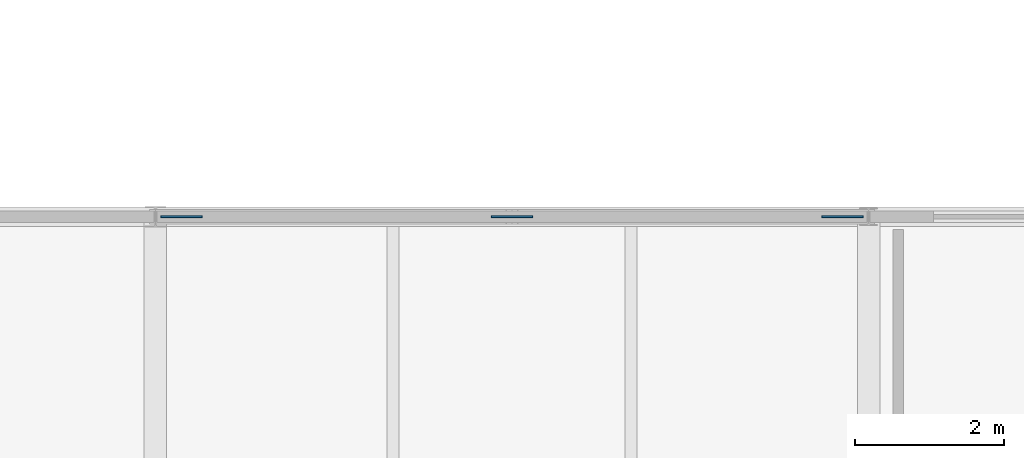
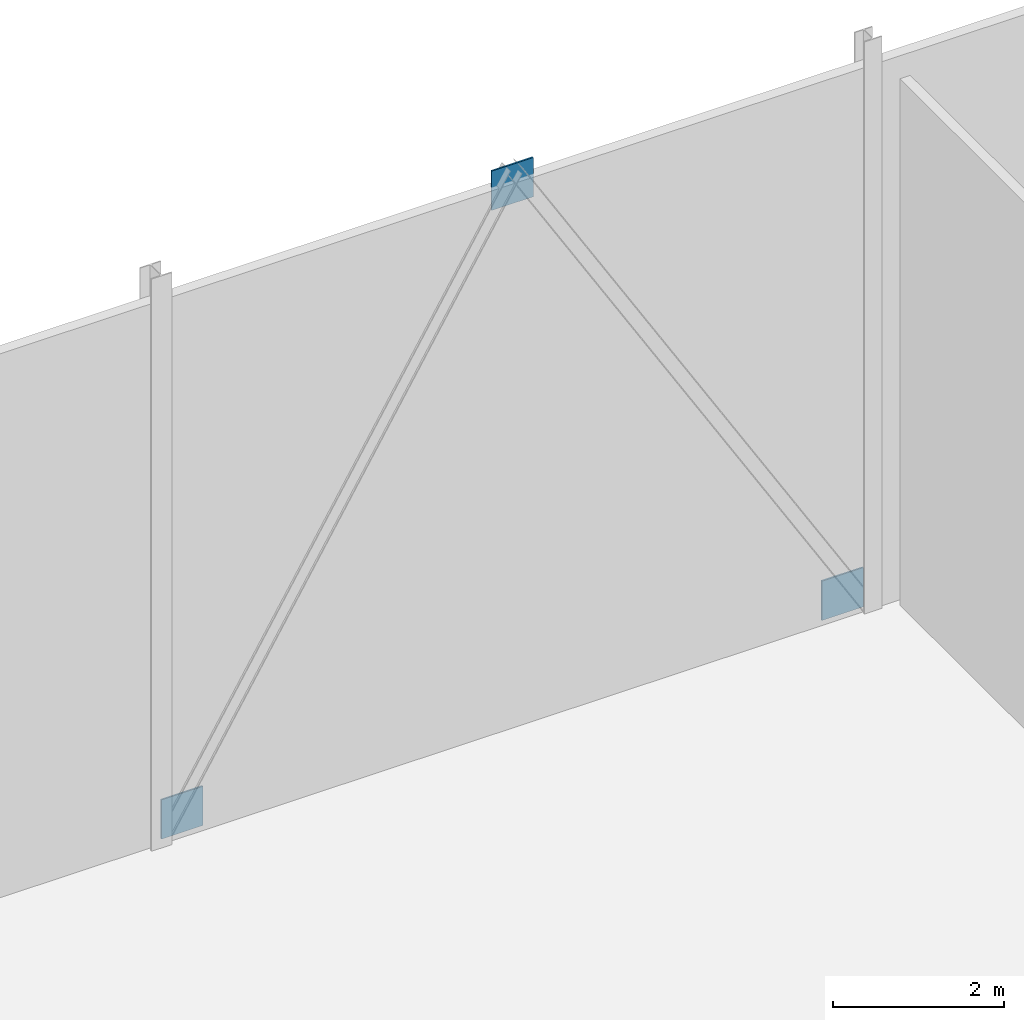
# One storey, part 63 of 73: 3 plates.
"""IFC4 building model written with IfcOpenShell, lengths in metres."""

import ifcopenshell
import ifcopenshell.guid

model = None  # the IFC model being written
_history = None  # IfcOwnerHistory: only IFC2X3 demands one
_inside = {}  # id of a spatial element -> (the spatial element, [elements in it])
_under = {}  # id of a project, library or spatial element -> (it, [spatial elements below it])
_declared = {}  # id of a project -> (the project, [libraries it declares])
_typed = {}  # id of a type object -> (the type object, [elements of that type])
_made_of = {}  # id of a material, layer set ... -> (it, [elements and type objects made of it])


def new_model(schema):
    """Start an empty IFC model of exactly this schema.

    Asked for "IFC4X3", IfcOpenShell would pick the latest addendum, in which some entities
    have other attributes; the version numbers below select the first issue.
    IFC2X3 requires an IfcOwnerHistory on every rooted entity: one is made here for all.
    """
    global model, _history
    if schema == "IFC4X3":
        model = ifcopenshell.file(schema_version=(4, 3, 0, 0))
    else:
        model = ifcopenshell.file(schema=schema)
    _inside.clear()
    _under.clear()
    _declared.clear()
    _typed.clear()
    _made_of.clear()
    _history = None
    if model.schema == "IFC2X3":
        org = make("IfcOrganization", Name="unknown")
        user = make(
            "IfcPersonAndOrganization",
            ThePerson=make("IfcPerson", FamilyName="unknown"),
            TheOrganization=org,
        )
        app = make(
            "IfcApplication",
            ApplicationDeveloper=org,
            Version="unknown",
            ApplicationFullName="unknown",
            ApplicationIdentifier="unknown",
        )
        _history = make(
            "IfcOwnerHistory",
            OwningUser=user,
            OwningApplication=app,
            ChangeAction="ADDED",
            CreationDate=0,
        )
    return model


def make(cls, **values):
    """One entity of the class cls with the attributes given. An attribute that is None is left unset."""
    return model.create_entity(
        cls, **{name: value for name, value in values.items() if value is not None}
    )


def rooted(cls, **values):
    """An entity with a GlobalId (a new one), such as an element, a storey or a relation."""
    return make(cls, GlobalId=ifcopenshell.guid.new(), OwnerHistory=_history, **values)


def si_unit(unit_type, name, prefix=None):
    """IfcSIUnit, for example si_unit("LENGTHUNIT", "METRE", prefix="MILLI")."""
    return make("IfcSIUnit", UnitType=unit_type, Prefix=prefix, Name=name)


def assignment(units):
    """IfcUnitAssignment: the units of a project."""
    return None if units is None else make("IfcUnitAssignment", Units=units)


def point(xyz):
    """IfcCartesianPoint."""
    return None if xyz is None else make("IfcCartesianPoint", Coordinates=xyz)


def direction(xyz):
    """IfcDirection."""
    return None if xyz is None else make("IfcDirection", DirectionRatios=xyz)


def frame(location, z_axis=None, x_axis=None):
    """IfcAxis2Placement3D, a coordinate frame: its origin and axes. An axis left out is left unset."""
    return make(
        "IfcAxis2Placement3D",
        Location=point(location),
        Axis=direction(z_axis),
        RefDirection=direction(x_axis),
    )


def frame_2d(location, x_axis=None):
    """IfcAxis2Placement2D, a coordinate frame in the plane: its origin and x axis."""
    return make(
        "IfcAxis2Placement2D", Location=point(location), RefDirection=direction(x_axis)
    )


def origin():
    """The frame at (0, 0, 0) with its axes left unset."""
    return frame((0.0, 0.0, 0.0))


def origin_2d():
    """The frame at (0, 0) in the plane with its x axis left unset."""
    return frame_2d((0.0, 0.0))


def place(relative_to, where):
    """IfcLocalPlacement: puts the frame where relative to a parent placement (None: the world)."""
    return make(
        "IfcLocalPlacement", PlacementRelTo=relative_to, RelativePlacement=where
    )


def context(
    kind, dimensions, precision=None, world=None, true_north=None, identifier=None
):
    """IfcGeometricRepresentationContext, for example the 3D "Model" context."""
    return make(
        "IfcGeometricRepresentationContext",
        ContextIdentifier=identifier,
        ContextType=kind,
        CoordinateSpaceDimension=dimensions,
        Precision=precision,
        WorldCoordinateSystem=world,
        TrueNorth=true_north,
    )


def subcontext(parent, identifier, kind, view, scale=None):
    """IfcGeometricRepresentationSubContext, for example "Body" below "Model"."""
    return make(
        "IfcGeometricRepresentationSubContext",
        ContextIdentifier=identifier,
        ContextType=kind,
        ParentContext=parent,
        TargetScale=scale,
        TargetView=view,
    )


def project(units=None, contexts=None):
    """IfcProject with its units and contexts."""
    return rooted(
        "IfcProject",
        Name="project",
        RepresentationContexts=contexts,
        UnitsInContext=assignment(units),
    )


def spatial(cls, under=None, at=None, **own):
    """A site, building, storey or space (cls), placed at a placement, below another one or the project."""
    s = rooted(cls, ObjectPlacement=at, **own)
    if under is not None:
        _under.setdefault(under.id(), (under, []))[1].append(s)
    return s


def profile(cls, at=None, kind="AREA", **sizes):
    """A parametric profile (cls). Its sizes go by their IFC names, for example OverallWidth=200.0."""
    return make(cls, ProfileType=kind, Position=at, **sizes)


def rectangle(**sizes):
    """IfcRectangleProfileDef."""
    return profile("IfcRectangleProfileDef", **sizes)


def extrude(swept, where, along, depth):
    """IfcExtrudedAreaSolid: the profile swept, set in the frame where, extruded along a direction by depth."""
    return make(
        "IfcExtrudedAreaSolid",
        SweptArea=swept,
        Position=where,
        ExtrudedDirection=direction(along),
        Depth=depth,
    )


def shape(context_of_items, identifier, shape_type, items):
    """IfcShapeRepresentation: the items that make up one representation, for example the "Body"."""
    return make(
        "IfcShapeRepresentation",
        ContextOfItems=context_of_items,
        RepresentationIdentifier=identifier,
        RepresentationType=shape_type,
        Items=items,
    )


def material(Name=None, Category=None):
    """IfcMaterial."""
    return make("IfcMaterial", Name=Name, Category=Category)


def layer(
    of_material, thickness, ventilated=None, Name=None, Category=None, Priority=None
):
    """IfcMaterialLayer: one layer of a wall or slab, of a material (None: an air gap)."""
    return make(
        "IfcMaterialLayer",
        Material=of_material,
        LayerThickness=thickness,
        IsVentilated=ventilated,
        Name=Name,
        Category=Category,
        Priority=Priority,
    )


def layer_set(layers, Name=None):
    """IfcMaterialLayerSet."""
    return make("IfcMaterialLayerSet", MaterialLayers=layers, LayerSetName=Name)


def made_of(thing, what):
    """Note that an element or type object is made of a material, layer set ...; save() writes the relation."""
    if what is not None:
        _made_of.setdefault(what.id(), (what, []))[1].append(thing)
    return thing


def type_object(cls, material=None, **own):
    """A type object (cls), such as IfcWallType, which elements share."""
    return made_of(rooted(cls, **own), material)


def element(
    cls,
    number,
    at=None,
    inside=None,
    cuts=None,
    type_object=None,
    material=None,
    context=None,
    identifier="Body",
    shape_type=None,
    held_by="IfcProductDefinitionShape",
    body=None,
    shapes=None,
    **own,
):
    """One element of the class cls, such as IfcWall. Its Tag is "e" and its number.

    at: its placement. inside: the storey or other place that contains it. cuts: it is an
    opening in that element (IfcRelVoidsElement). A single representation is given by context,
    identifier, shape_type and body (its items); several are given by shapes. held_by: the class
    of the entity that holds the representations. save() writes the other relations.
    """
    e = rooted(cls, Tag="e%d" % number, ObjectPlacement=at, **own)
    if body is not None:
        shapes = [shape(context, identifier, shape_type, body)]
    if shapes is not None:
        e.Representation = make(held_by, Representations=shapes)
    if inside is not None:
        _inside.setdefault(inside.id(), (inside, []))[1].append(e)
    if cuts is not None:
        rooted(
            "IfcRelVoidsElement", RelatingBuildingElement=cuts, RelatedOpeningElement=e
        )
    if type_object is not None:
        _typed.setdefault(type_object.id(), (type_object, []))[1].append(e)
    return made_of(e, material)


def aggregate(whole, parts):
    """IfcRelAggregates: a whole, such as a stair, and the parts it consists of."""
    return rooted("IfcRelAggregates", RelatingObject=whole, RelatedObjects=parts)


def save(model, path):
    """Write the relations noted so far, then the file.

    IfcRelAggregates (storeys below a building ...), IfcRelContainedInSpatialStructure (elements
    in a storey), IfcRelDefinesByType, IfcRelAssociatesMaterial and IfcRelDeclares: one each for
    every whole, place, type object, material and project.
    """
    for whole, parts in _under.values():
        aggregate(whole, parts)
    for where, things in _inside.values():
        rooted(
            "IfcRelContainedInSpatialStructure",
            RelatedElements=things,
            RelatingStructure=where,
        )
    for kind, things in _typed.values():
        rooted("IfcRelDefinesByType", RelatedObjects=things, RelatingType=kind)
    for what, things in _made_of.values():
        rooted("IfcRelAssociatesMaterial", RelatedObjects=things, RelatingMaterial=what)
    for by, libraries in _declared.values():
        rooted("IfcRelDeclares", RelatingContext=by, RelatedDefinitions=libraries)
    model.write(path)


model = new_model("IFC4")

# Units and contexts
model_context = context("Model", 3, precision=1e-05, world=origin(), true_north=direction((0.0, 1.0)))
body_context = subcontext(model_context, "Body", "Model", "MODEL_VIEW")
ifc_project = project(units=[si_unit("LENGTHUNIT", "METRE"), si_unit("AREAUNIT", "SQUARE_METRE"), si_unit("VOLUMEUNIT", "CUBIC_METRE"), si_unit("PLANEANGLEUNIT", "RADIAN"), si_unit("MASSUNIT", "GRAM", prefix="KILO")], contexts=[model_context])

# Site, building, storey
site_placement = place(None, origin())
site = spatial("IfcSite", under=ifc_project, at=site_placement, CompositionType="ELEMENT")
building_placement = place(site_placement, origin())
building = spatial("IfcBuilding", under=site, at=building_placement, Name="Alderhovde Museum", CompositionType="ELEMENT")
storey_placement = place(building_placement, frame((0.0, 0.0, 17.39990234375)))
storey = spatial("IfcBuildingStorey", under=building, at=storey_placement, Name="L04", CompositionType="ELEMENT", Elevation=17.39990234375)

# Plates
ifc_material = material(Name="Steel S355J2", Category="steel")
ifc_layer = layer(ifc_material, 0.02197265625)
ifc_layer_set = layer_set([ifc_layer], Name="Steel S355J2")
plate_type = type_object("IfcPlateType", Name="PLT-GUSSET-22", PredefinedType="USERDEFINED", material=ifc_layer_set)
for number, where, z_axis, x_axis, name in (
    (1, (125.14990234375, 96.0, 0.02001953125), (0.0, 0.0, 1.0), (1.0, 0.0, 0.0), "L04 Brace End Gusset Plate BR-V5-N-BL"),
    (2, (134.050048828125, 96.0, 0.02001953125), (0.0, 0.0, 1.0), (1.0, 0.0, 0.0), "L04 Brace End Gusset Plate BR-V5-N-BR"),
    (3, (129.60009765625, 96.0, 7.420166015625), (0.0, 0.0, 1.0), (1.0, 0.0, 0.0), "L04 Brace End Gusset Plate BR-V5-N-APX"),
):
    element("IfcPlate", number, at=place(storey_placement, frame(where, z_axis=z_axis, x_axis=x_axis)), inside=storey, type_object=plate_type, Name=name, ObjectType="GUSSET PLATE", PredefinedType="USERDEFINED", context=body_context, shape_type="SweptSolid", body=[
        extrude(rectangle(XDim=0.56005859375, YDim=0.02197265625, at=origin_2d()), origin(), (0.0, 0.0, 1.0), 0.56005859375),
    ])

save(model, "model.ifc")
